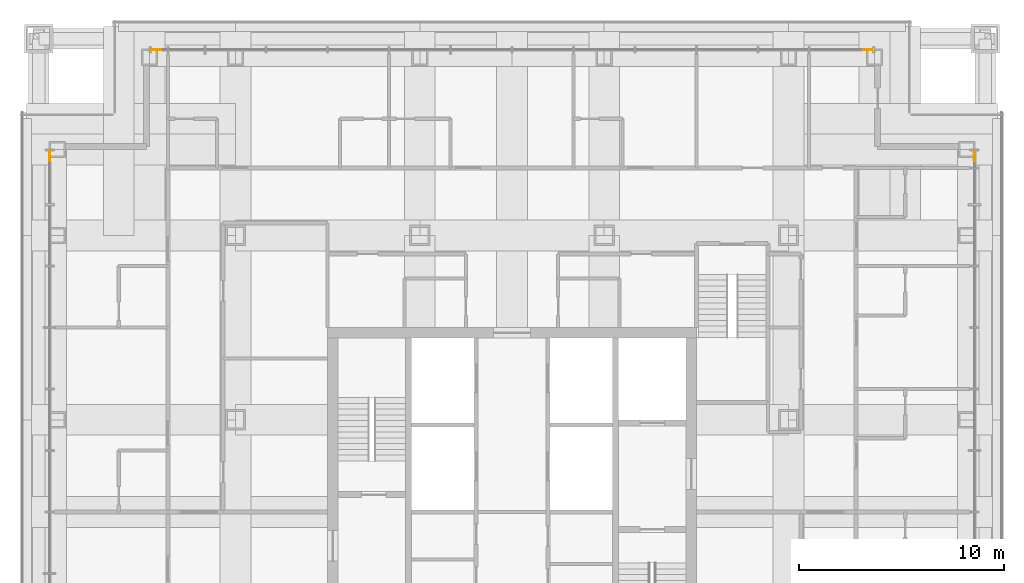
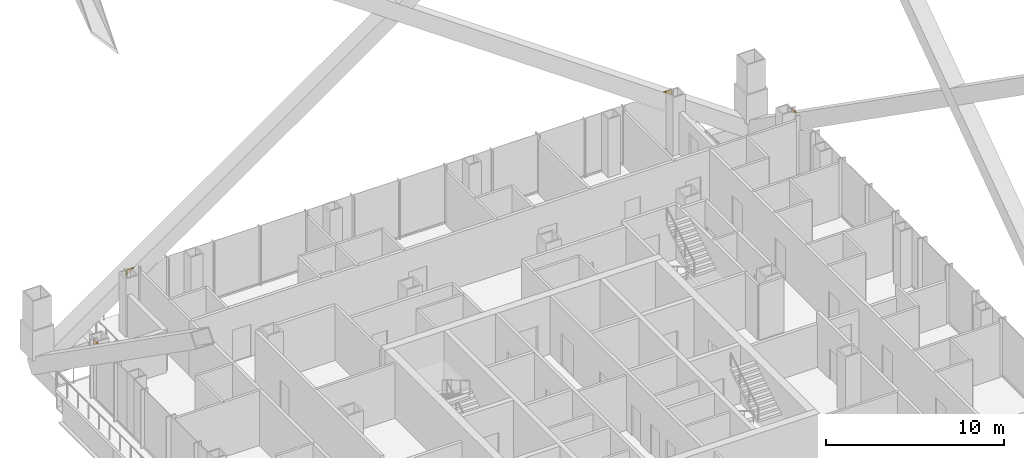
# One storey, part 18 of 18: 4 coverings.
"""IFC4 building model written with IfcOpenShell, lengths in metres."""

from ifc_helpers import new_model, si_unit, direction, frame, origin, place, context, subcontext, project, spatial, polyline, outline, extrude, material, layer, layer_set, type_object, element, save


model = new_model("IFC4")

# Units and contexts
model_context = context("Model", 3, precision=1e-05, world=origin(), true_north=direction((0.0, 1.0)))
body_context = subcontext(model_context, "Body", "Model", "MODEL_VIEW")
ifc_project = project(units=[si_unit("LENGTHUNIT", "METRE"), si_unit("AREAUNIT", "SQUARE_METRE"), si_unit("VOLUMEUNIT", "CUBIC_METRE"), si_unit("PLANEANGLEUNIT", "RADIAN"), si_unit("MASSUNIT", "GRAM", prefix="KILO")], contexts=[model_context])

# Site, building, storey
site_placement = place(None, origin())
site = spatial("IfcSite", under=ifc_project, at=site_placement, CompositionType="ELEMENT")
building_placement = place(site_placement, origin())
building = spatial("IfcBuilding", under=site, at=building_placement, Name="Malebo Sky Hospital", CompositionType="ELEMENT")
storey_placement = place(building_placement, frame((0.0, 0.0, 177.0)))
storey = spatial("IfcBuildingStorey", under=building, at=storey_placement, Name="L42", CompositionType="ELEMENT", Elevation=177.0)

# Coverings
ifc_material = material(Name="Anodised aluminium, natural silver insulated infill panel", Category="aluminium")
ifc_layer = layer(ifc_material, 0.0400390625)
ifc_layer_set = layer_set([ifc_layer], Name="BRACE INFILL PANEL 40")
covering_type = type_object("IfcCoveringType", Name="BRACE INFILL PANEL 40", PredefinedType="CLADDING", material=ifc_layer_set)
covering_1_placement = place(storey_placement, frame((42.625732421875, 84.574951171875, 3.6376953125), z_axis=(0.0, 0.0, 1.0), x_axis=(1.0, 0.0, 0.0)))
element("IfcCovering", 1, at=covering_1_placement, inside=storey, type_object=covering_type, Name="Brace infill panel 1.1", PredefinedType="CLADDING", context=body_context, shape_type="SweptSolid", body=[
    extrude(outline(polyline([(-0.250732421875, 0.0), (0.250732421875, 0.352294921875), (-0.250732421875, 0.352294921875), (-0.250732421875, 0.0)])), frame((0.0, 0.02001953125, 0.0), z_axis=(0.0, -1.0, 0.0), x_axis=(1.0, 0.0, 0.0)), (0.0, 0.0, 1.0), 0.0400390625),
])
for number, where, z_axis, x_axis, name in (
    (2, (77.374267578125, 84.574951171875, 3.6376953125), (0.0, 0.0, 1.0), (1.0, 0.0, 0.0), "Brace infill panel 13.1"),
    (3, (37.425048828125, 79.374267578125, 3.6376953125), (0.0, 0.0, 1.0), (0.0, 1.0, 0.0), "Brace infill panel 13.1"),
):
    element("IfcCovering", number, at=place(storey_placement, frame(where, z_axis=z_axis, x_axis=x_axis)), inside=storey, type_object=covering_type, Name=name, PredefinedType="CLADDING", context=body_context, shape_type="SweptSolid", body=[
        extrude(outline(polyline([(0.250732421875, 0.0), (0.250732421875, 0.352294921875), (-0.250732421875, 0.352294921875), (0.250732421875, 0.0)])), frame((0.0, 0.02001953125, 0.0), z_axis=(0.0, -1.0, 0.0), x_axis=(1.0, 0.0, 0.0)), (0.0, 0.0, 1.0), 0.0400390625),
    ])
covering_2_placement = place(storey_placement, frame((82.574951171875, 79.374267578125, 3.6376953125), z_axis=(0.0, 0.0, 1.0), x_axis=(0.0, -1.0, 0.0)))
element("IfcCovering", 4, at=covering_2_placement, inside=storey, type_object=covering_type, Name="Brace infill panel 1.1", PredefinedType="CLADDING", context=body_context, shape_type="SweptSolid", body=[
    extrude(outline(polyline([(-0.250732421875, 0.0), (0.250732421875, 0.352294921875), (-0.250732421875, 0.352294921875), (-0.250732421875, 0.0)])), frame((0.0, 0.02001953125, 0.0), z_axis=(0.0, -1.0, 0.0), x_axis=(1.0, 0.0, 0.0)), (0.0, 0.0, 1.0), 0.0400390625),
])

save(model, "model.ifc")
